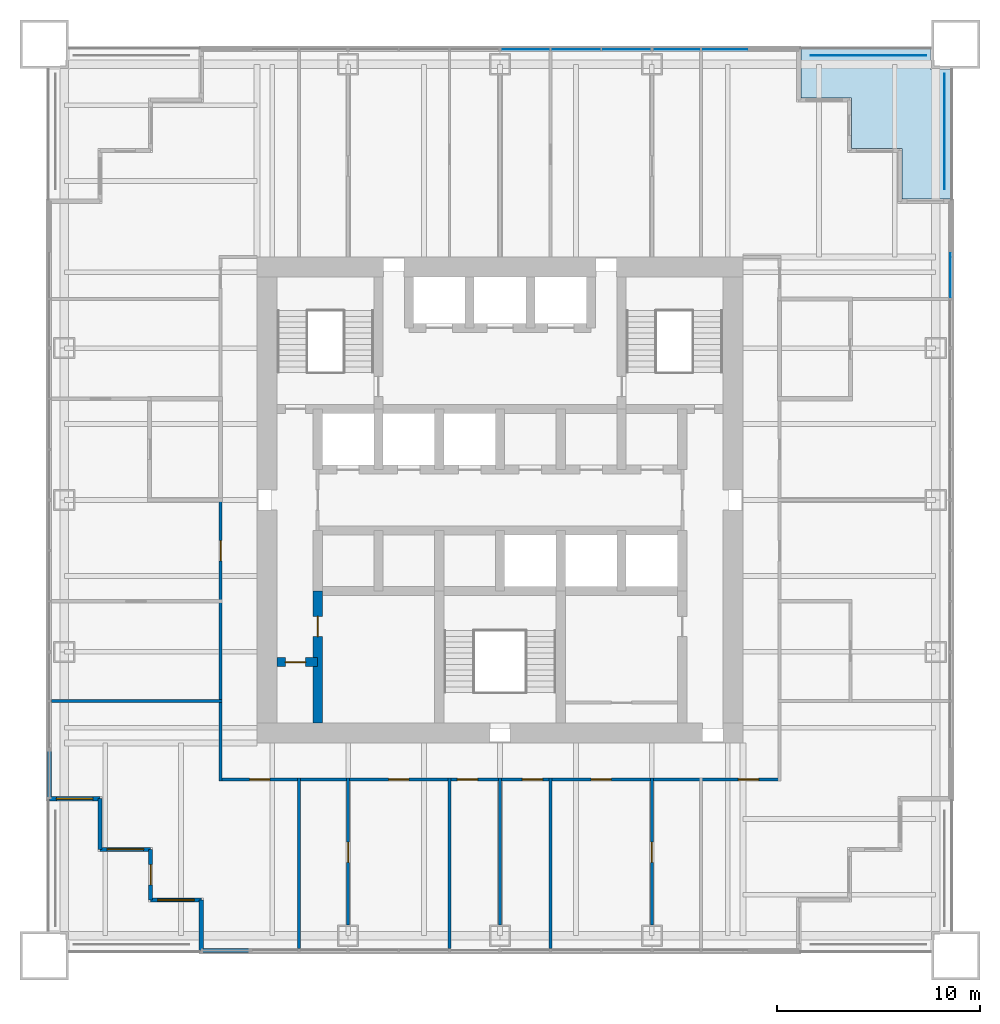
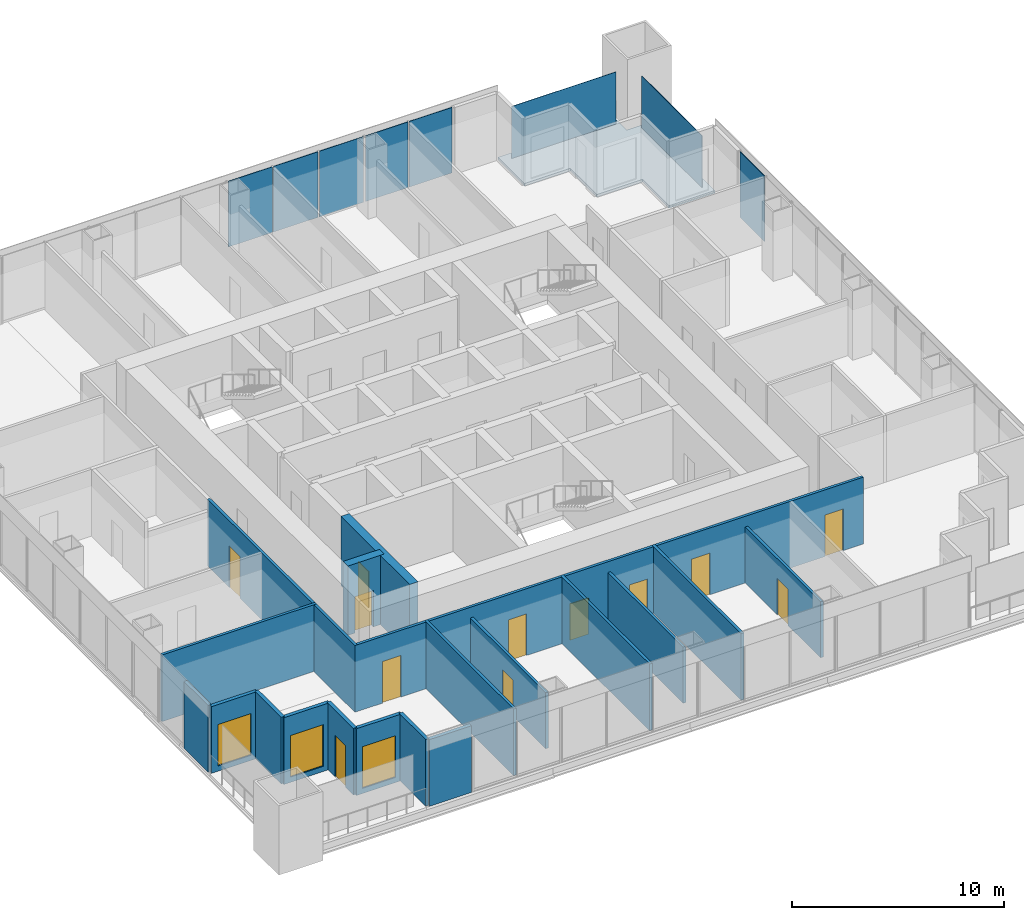
# One storey, part 8 of 13: 19 walls, 12 doors, 8 plates, 3 windows, 1 slab, 15 openings, 3 elements without a shape of their own.
"""IFC4 building model written with IfcOpenShell, lengths in metres."""

from ifc_helpers import new_model, si_unit, direction, frame, frame_2d, origin, origin_2d, place, context, subcontext, project, spatial, polyline, rectangle, outline, extrude, material, layer, layer_set, type_object, element, fill, aggregate, save


model = new_model("IFC4")

# Units and contexts
model_context = context("Model", 3, precision=1e-05, world=origin(), true_north=direction((0.0, 1.0)))
body_context = subcontext(model_context, "Body", "Model", "MODEL_VIEW")
ifc_project = project(units=[si_unit("LENGTHUNIT", "METRE"), si_unit("AREAUNIT", "SQUARE_METRE"), si_unit("VOLUMEUNIT", "CUBIC_METRE"), si_unit("PLANEANGLEUNIT", "RADIAN"), si_unit("MASSUNIT", "GRAM", prefix="KILO")], contexts=[model_context])

# Site, building, storey
site_placement = place(None, origin())
site = spatial("IfcSite", under=ifc_project, at=site_placement, CompositionType="ELEMENT")
building_placement = place(site_placement, origin())
building = spatial("IfcBuilding", under=site, at=building_placement, Name="Tarangal Relay Tower", CompositionType="ELEMENT")
storey_placement = place(building_placement, frame((0.0, 0.0, 181.89990234375)))
storey = spatial("IfcBuildingStorey", under=building, at=storey_placement, Name="L37", CompositionType="ELEMENT", Elevation=181.89990234375)

# Curtain wall, plates
ifc_material_1 = material(Name="Unitised curtain wall, dark glass and black aluminium", Category="aluminium")
curtain_wall_type = type_object("IfcCurtainWallType", Name="Curtain wall CW-A", PredefinedType="USERDEFINED", material=ifc_material_1)
curtain_wall_1_placement = place(storey_placement, origin())
curtain_wall_1 = element("IfcCurtainWall", 1, at=curtain_wall_1_placement, inside=storey, type_object=curtain_wall_type, Name="Curtain wall CW-A N facade L37", ObjectType="UNITISED CURTAIN WALL", PredefinedType="USERDEFINED")
ifc_material_2 = material(Name="Dark tinted insulated glass unit", Category="glass")
ifc_layer_1 = layer(ifc_material_2, 0.031982421875)
ifc_layer_set_1 = layer_set([ifc_layer_1], Name="Glazed panel CW-A 32")
plate_type_1 = type_object("IfcPlateType", Name="Glazed panel CW-A 32", PredefinedType="CURTAIN_PANEL", material=ifc_layer_set_1)
plate_1_placement = place(storey_placement, frame((1.266357421875, 22.25, 0.06494140625), z_axis=(0.0, 0.0, 1.0), x_axis=(1.0, 0.0, 0.0)))
plate_1 = element("IfcPlate", 2, at=plate_1_placement, type_object=plate_type_1, Name="CW-A panel 1.1", PredefinedType="CURTAIN_PANEL", context=body_context, shape_type="SweptSolid", body=[
    extrude(rectangle(XDim=2.402587890625, YDim=0.031982421875, at=origin_2d()), origin(), (0.0, 0.0, 1.0), 3.784912109375),
])
plate_2_placement = place(storey_placement, frame((3.75, 22.25, 0.06494140625), z_axis=(0.0, 0.0, 1.0), x_axis=(1.0, 0.0, 0.0)))
plate_2 = element("IfcPlate", 3, at=plate_2_placement, type_object=plate_type_1, Name="CW-A panel 2.1", PredefinedType="CURTAIN_PANEL", context=body_context, shape_type="SweptSolid", body=[
    extrude(rectangle(XDim=2.43505859375, YDim=0.031982421875, at=origin_2d()), origin(), (0.0, 0.0, 1.0), 3.784912109375),
])
plate_3_placement = place(storey_placement, frame((6.233642578125, 22.25, 0.06494140625), z_axis=(0.0, 0.0, 1.0), x_axis=(1.0, 0.0, 0.0)))
plate_3 = element("IfcPlate", 4, at=plate_3_placement, type_object=plate_type_1, Name="CW-A panel 3.1", PredefinedType="CURTAIN_PANEL", context=body_context, shape_type="SweptSolid", body=[
    extrude(rectangle(XDim=2.402587890625, YDim=0.031982421875, at=origin_2d()), origin(), (0.0, 0.0, 1.0), 3.784912109375),
])
aggregate(curtain_wall_1, [plate_1, plate_2, plate_3])

curtain_wall_2_placement = place(storey_placement, origin())
curtain_wall_2 = element("IfcCurtainWall", 5, at=curtain_wall_2_placement, inside=storey, type_object=curtain_wall_type, Name="Curtain wall CW-A N facade L37", ObjectType="UNITISED CURTAIN WALL", PredefinedType="USERDEFINED")
plate_4_placement = place(storey_placement, frame((8.724609375, 22.25, 0.06494140625), z_axis=(0.0, 0.0, 1.0), x_axis=(1.0, 0.0, 0.0)))
plate_4 = element("IfcPlate", 6, at=plate_4_placement, type_object=plate_type_1, Name="CW-A panel 1.1", PredefinedType="CURTAIN_PANEL", context=body_context, shape_type="SweptSolid", body=[
    extrude(rectangle(XDim=2.319091796875, YDim=0.031982421875, at=origin_2d()), origin(), (0.0, 0.0, 1.0), 3.784912109375),
])
plate_5_placement = place(storey_placement, frame((11.108642578125, 22.25, 0.06494140625), z_axis=(0.0, 0.0, 1.0), x_axis=(1.0, 0.0, 0.0)))
plate_5 = element("IfcPlate", 7, at=plate_5_placement, type_object=plate_type_1, Name="CW-A panel 2.1", PredefinedType="CURTAIN_PANEL", context=body_context, shape_type="SweptSolid", body=[
    extrude(rectangle(XDim=2.319091796875, YDim=0.031982421875, at=origin_2d()), origin(), (0.0, 0.0, 1.0), 3.784912109375),
])
aggregate(curtain_wall_2, [plate_4, plate_5])

# Curtain wall, plate
curtain_wall_3_placement = place(storey_placement, origin())
curtain_wall_3 = element("IfcCurtainWall", 8, at=curtain_wall_3_placement, inside=storey, type_object=curtain_wall_type, Name="Curtain wall CW-A E facade L37", ObjectType="UNITISED CURTAIN WALL", PredefinedType="USERDEFINED")
plate_6_placement = place(storey_placement, frame((22.25, 11.108642578125, 0.06494140625), z_axis=(0.0, 0.0, 1.0), x_axis=(0.0, -1.0, 0.0)))
plate_6 = element("IfcPlate", 9, at=plate_6_placement, type_object=plate_type_1, Name="CW-A panel 1.1", PredefinedType="CURTAIN_PANEL", context=body_context, shape_type="SweptSolid", body=[
    extrude(rectangle(XDim=2.319091796875, YDim=0.031982421875, at=origin_2d()), origin(), (0.0, 0.0, 1.0), 3.784912109375),
])
aggregate(curtain_wall_3, [plate_6])

# Plates
ifc_material_3 = material(Name="Black stainless steel cable trellis with climbing planting", Category="steel")
ifc_layer_2 = layer(ifc_material_3, 0.030029296875)
ifc_layer_set_2 = layer_set([ifc_layer_2], Name="Planted trellis screen")
plate_type_2 = type_object("IfcPlateType", Name="Planted trellis screen", PredefinedType="SHEET", material=ifc_layer_set_2)
plate_7_placement = place(storey_placement, frame((21.949951171875, 18.199951171875, 0.0), z_axis=(0.0, 0.0, 1.0), x_axis=(0.0, -1.0, 0.0)))
element("IfcPlate", 10, at=plate_7_placement, inside=storey, type_object=plate_type_2, Name="Planted trellis SC2 NE L37", PredefinedType="SHEET", context=body_context, shape_type="SweptSolid", body=[
    extrude(rectangle(XDim=5.699951171875, YDim=0.030029296875, at=origin_2d()), origin(), (0.0, 0.0, 1.0), 3.0),
])
ifc_material_4 = material(Name="Perforated black aluminium screen", Category="aluminium")
ifc_layer_3 = layer(ifc_material_4, 0.02001953125)
ifc_layer_set_3 = layer_set([ifc_layer_3], Name="Terrace screen panel")
plate_type_3 = type_object("IfcPlateType", Name="Terrace screen panel", PredefinedType="SHEET", material=ifc_layer_set_3)
plate_8_placement = place(storey_placement, frame((18.199951171875, 21.949951171875, 0.0), z_axis=(0.0, 0.0, 1.0), x_axis=(1.0, 0.0, 0.0)))
element("IfcPlate", 11, at=plate_8_placement, inside=storey, type_object=plate_type_3, Name="Terrace screen SC1 NE L37", PredefinedType="SHEET", context=body_context, shape_type="SweptSolid", body=[
    extrude(rectangle(XDim=5.699951171875, YDim=0.02001953125, at=origin_2d()), origin(), (0.0, 0.0, 1.0), 3.0),
])

# Slab
ifc_material_5 = material(Name="Concrete fc' 35 MPa", Category="concrete")
ifc_layer_4 = layer(ifc_material_5, 0.14990234375)
ifc_layer_set_4 = layer_set([ifc_layer_4], Name="Terrace slab 150")
slab_type = type_object("IfcSlabType", Name="Terrace slab 150", PredefinedType="FLOOR", material=ifc_layer_set_4)
slab_placement = place(storey_placement, frame((0.0, 0.0, -0.14990234375)))
element("IfcSlab", 12, at=slab_placement, inside=storey, type_object=slab_type, Name="Corner terrace NE L37", PredefinedType="FLOOR", context=body_context, shape_type="SweptSolid", body=[
    extrude(outline(polyline([(14.85009765625, 22.35009765625), (14.85009765625, 19.85009765625), (17.35009765625, 19.85009765625), (17.35009765625, 17.35009765625), (19.85009765625, 17.35009765625), (19.85009765625, 14.85009765625), (22.35009765625, 14.85009765625), (22.35009765625, 21.25), (21.25, 21.25), (21.25, 22.35009765625), (14.85009765625, 22.35009765625)])), origin(), (0.0, 0.0, 1.0), 0.14990234375),
])

# Wall, opening, door
ifc_material_6 = material(Name="Concrete fc' 60 MPa", Category="concrete")
ifc_layer_5 = layer(ifc_material_6, 0.449951171875)
ifc_layer_set_5 = layer_set([ifc_layer_5], Name="Core inner wall 450")
wall_type_1 = type_object("IfcWallType", Name="Core inner wall 450", PredefinedType="SHEAR", material=ifc_layer_set_5)
wall_1_placement = place(storey_placement, frame((-11.0, -8.0, 0.0), z_axis=(0.0, 0.0, 1.0), x_axis=(1.0, 0.0, 0.0)))
wall_1 = element("IfcWall", 13, at=wall_1_placement, inside=storey, type_object=wall_type_1, Name="Core wall YM8 L37", PredefinedType="SHEAR", context=body_context, shape_type="SweptSolid", body=[
    extrude(rectangle(XDim=2.0, YDim=0.449951171875, at=frame_2d((1.0, 0.0))), origin(), (0.0, 0.0, 1.0), 4.0),
])
opening_1_placement = place(wall_1_placement, frame((0.39990234375, 0.0, 0.0)))
opening_1 = element("IfcOpeningElement", 14, at=opening_1_placement, cuts=wall_1, Name="Opening D1", PredefinedType="OPENING", context=body_context, shape_type="SweptSolid", body=[
    extrude(rectangle(XDim=1.0, YDim=2.10009765625, at=frame_2d((0.5, 1.050048828125))), frame((0.0, 0.23486328125, 0.0), z_axis=(0.0, -1.0, 0.0), x_axis=(1.0, 0.0, 0.0)), (0.0, 0.0, 1.0), 0.469970703125),
])
ifc_material_7 = material(Name="Hardwood door", Category="wood")
door_type_1 = type_object("IfcDoorType", Name="WC door 1000 x 2100", OperationType="SINGLE_SWING_LEFT", PredefinedType="DOOR", material=ifc_material_7)
door_1_placement = place(opening_1_placement, origin())
door_1 = element("IfcDoor", 15, at=door_1_placement, inside=storey, type_object=door_type_1, Name="Accessible WC door L37", OperationType="SINGLE_SWING_LEFT", OverallHeight=2.10009765625, OverallWidth=1.0, PredefinedType="DOOR", context=body_context, shape_type="SweptSolid", body=[
    extrude(rectangle(XDim=1.0, YDim=2.10009765625, at=frame_2d((0.5, 1.050048828125))), frame((0.0, 0.02490234375, 0.0), z_axis=(0.0, -1.0, 0.0), x_axis=(1.0, 0.0, 0.0)), (0.0, 0.0, 1.0), 0.050048828125),
])
fill(opening_1, door_1)

wall_2_placement = place(storey_placement, frame((-9.0, -11.0, 0.0), z_axis=(0.0, 0.0, 1.0), x_axis=(0.0, 1.0, 0.0)))
wall_2 = element("IfcWall", 16, at=wall_2_placement, inside=storey, type_object=wall_type_1, Name="Core wall XM9W L37", PredefinedType="SHEAR", context=body_context, shape_type="SweptSolid", body=[
    extrude(rectangle(XDim=6.5, YDim=0.449951171875, at=frame_2d((3.25, 0.0))), origin(), (0.0, 0.0, 1.0), 4.0),
])
opening_2_placement = place(wall_2_placement, frame((4.25, 0.0, 0.0)))
opening_2 = element("IfcOpeningElement", 17, at=opening_2_placement, cuts=wall_2, Name="Opening D1", PredefinedType="OPENING", context=body_context, shape_type="SweptSolid", body=[
    extrude(rectangle(XDim=1.0, YDim=2.10009765625, at=frame_2d((0.5, 1.050048828125))), frame((0.0, 0.23486328125, 0.0), z_axis=(0.0, -1.0, 0.0), x_axis=(1.0, 0.0, 0.0)), (0.0, 0.0, 1.0), 0.469970703125),
])
door_2_placement = place(opening_2_placement, origin())
door_2 = element("IfcDoor", 18, at=door_2_placement, inside=storey, type_object=door_type_1, Name="Male WC door L37", OperationType="SINGLE_SWING_LEFT", OverallHeight=2.10009765625, OverallWidth=1.0, PredefinedType="DOOR", context=body_context, shape_type="SweptSolid", body=[
    extrude(rectangle(XDim=1.0, YDim=2.10009765625, at=frame_2d((0.5, 1.050048828125))), frame((0.0, 0.02490234375, 0.0), z_axis=(0.0, -1.0, 0.0), x_axis=(1.0, 0.0, 0.0)), (0.0, 0.0, 1.0), 0.050048828125),
])
fill(opening_2, door_2)

# Wall
ifc_material_8 = material(Name="Black metal clad insulated wall", Category="steel")
ifc_layer_6 = layer(ifc_material_8, 0.199951171875)
ifc_layer_set_6 = layer_set([ifc_layer_6], Name="Corner wall metal clad 200")
wall_type_2 = type_object("IfcWallType", Name="Corner wall metal clad 200", PredefinedType="SOLIDWALL", material=ifc_layer_set_6)
wall_3_placement = place(storey_placement, frame((-14.75, -22.25, 0.0), z_axis=(0.0, 0.0, 1.0), x_axis=(0.0, 1.0, 0.0)))
element("IfcWall", 19, at=wall_3_placement, inside=storey, type_object=wall_type_2, Name="Facade wall S facade L37", PredefinedType="SOLIDWALL", context=body_context, shape_type="SweptSolid", body=[
    extrude(rectangle(XDim=2.5, YDim=0.199951171875, at=frame_2d((1.25, 0.0))), origin(), (0.0, 0.0, 1.0), 3.85009765625),
])

# Wall, opening, window
wall_4_placement = place(storey_placement, frame((-14.75, -19.75, 0.0), z_axis=(0.0, 0.0, 1.0), x_axis=(-1.0, 0.0, 0.0)))
wall_4 = element("IfcWall", 20, at=wall_4_placement, inside=storey, type_object=wall_type_2, Name="Facade wall S facade L37", PredefinedType="SOLIDWALL", context=body_context, shape_type="SweptSolid", body=[
    extrude(rectangle(XDim=2.5, YDim=0.199951171875, at=frame_2d((1.25, 0.0))), origin(), (0.0, 0.0, 1.0), 3.85009765625),
])
opening_3_placement = place(wall_4_placement, frame((0.35009765625, 0.0, 0.300048828125)))
opening_3 = element("IfcOpeningElement", 21, at=opening_3_placement, cuts=wall_4, Name="Opening WN2", PredefinedType="OPENING", context=body_context, shape_type="SweptSolid", body=[
    extrude(rectangle(XDim=1.800048828125, YDim=2.39990234375, at=frame_2d((0.89990234375, 1.199951171875))), frame((0.0, 0.10986328125, 0.0), z_axis=(0.0, -1.0, 0.0), x_axis=(1.0, 0.0, 0.0)), (0.0, 0.0, 1.0), 0.219970703125),
])
ifc_material_9 = material(Name="Dark tinted double glazing in black aluminium frame", Category="aluminium")
window_type = type_object("IfcWindowType", Name="Corner window 1800 x 2400", PartitioningType="SINGLE_PANEL", PredefinedType="WINDOW", material=ifc_material_9)
window_1_placement = place(opening_3_placement, origin())
window_1 = element("IfcWindow", 22, at=window_1_placement, inside=storey, type_object=window_type, Name="Corner window WN2 S facade L37", OverallHeight=2.39990234375, OverallWidth=1.800048828125, PartitioningType="SINGLE_PANEL", PredefinedType="WINDOW", context=body_context, shape_type="SweptSolid", body=[
    extrude(rectangle(XDim=1.800048828125, YDim=2.39990234375, at=frame_2d((0.89990234375, 1.199951171875))), frame((0.0, 0.030029296875, 0.0), z_axis=(0.0, -1.0, 0.0), x_axis=(1.0, 0.0, 0.0)), (0.0, 0.0, 1.0), 0.06005859375),
])
fill(opening_3, window_1)

# Wall, opening, door
wall_5_placement = place(storey_placement, frame((-17.25, -19.75, 0.0), z_axis=(0.0, 0.0, 1.0), x_axis=(0.0, 1.0, 0.0)))
wall_5 = element("IfcWall", 23, at=wall_5_placement, inside=storey, type_object=wall_type_2, Name="Facade wall S facade L37", PredefinedType="SOLIDWALL", context=body_context, shape_type="SweptSolid", body=[
    extrude(rectangle(XDim=2.5, YDim=0.199951171875, at=frame_2d((1.25, 0.0))), origin(), (0.0, 0.0, 1.0), 3.85009765625),
])
opening_4_placement = place(wall_5_placement, frame((0.75, 0.0, 0.0)))
opening_4 = element("IfcOpeningElement", 24, at=opening_4_placement, cuts=wall_5, Name="Opening TD1", PredefinedType="OPENING", context=body_context, shape_type="SweptSolid", body=[
    extrude(rectangle(XDim=1.0, YDim=2.39990234375, at=frame_2d((0.5, 1.199951171875))), frame((0.0, 0.10986328125, 0.0), z_axis=(0.0, -1.0, 0.0), x_axis=(1.0, 0.0, 0.0)), (0.0, 0.0, 1.0), 0.219970703125),
])
ifc_material_10 = material(Name="Aluminium glazed door", Category="aluminium")
door_type_2 = type_object("IfcDoorType", Name="Terrace door 1000 x 2400", OperationType="SINGLE_SWING_RIGHT", PredefinedType="DOOR", material=ifc_material_10)
door_3_placement = place(opening_4_placement, origin())
door_3 = element("IfcDoor", 25, at=door_3_placement, inside=storey, type_object=door_type_2, Name="Terrace door TD1 SW L37", OperationType="SINGLE_SWING_RIGHT", OverallHeight=2.39990234375, OverallWidth=1.0, PredefinedType="DOOR", context=body_context, shape_type="SweptSolid", body=[
    extrude(rectangle(XDim=1.0, YDim=2.39990234375, at=frame_2d((0.5, 1.199951171875))), frame((0.0, 0.02490234375, 0.0), z_axis=(0.0, -1.0, 0.0), x_axis=(1.0, 0.0, 0.0)), (0.0, 0.0, 1.0), 0.050048828125),
])
fill(opening_4, door_3)

# Wall, opening, window
wall_6_placement = place(storey_placement, frame((-17.25, -17.25, 0.0), z_axis=(0.0, 0.0, 1.0), x_axis=(-1.0, 0.0, 0.0)))
wall_6 = element("IfcWall", 26, at=wall_6_placement, inside=storey, type_object=wall_type_2, Name="Facade wall S facade L37", PredefinedType="SOLIDWALL", context=body_context, shape_type="SweptSolid", body=[
    extrude(rectangle(XDim=2.5, YDim=0.199951171875, at=frame_2d((1.25, 0.0))), origin(), (0.0, 0.0, 1.0), 3.85009765625),
])
opening_5_placement = place(wall_6_placement, frame((0.35009765625, 0.0, 0.300048828125)))
opening_5 = element("IfcOpeningElement", 27, at=opening_5_placement, cuts=wall_6, Name="Opening WN2", PredefinedType="OPENING", context=body_context, shape_type="SweptSolid", body=[
    extrude(rectangle(XDim=1.800048828125, YDim=2.39990234375, at=frame_2d((0.89990234375, 1.199951171875))), frame((0.0, 0.10986328125, 0.0), z_axis=(0.0, -1.0, 0.0), x_axis=(1.0, 0.0, 0.0)), (0.0, 0.0, 1.0), 0.219970703125),
])
window_2_placement = place(opening_5_placement, origin())
window_2 = element("IfcWindow", 28, at=window_2_placement, inside=storey, type_object=window_type, Name="Corner window WN2 S facade L37", OverallHeight=2.39990234375, OverallWidth=1.800048828125, PartitioningType="SINGLE_PANEL", PredefinedType="WINDOW", context=body_context, shape_type="SweptSolid", body=[
    extrude(rectangle(XDim=1.800048828125, YDim=2.39990234375, at=frame_2d((0.89990234375, 1.199951171875))), frame((0.0, 0.030029296875, 0.0), z_axis=(0.0, -1.0, 0.0), x_axis=(1.0, 0.0, 0.0)), (0.0, 0.0, 1.0), 0.06005859375),
])
fill(opening_5, window_2)

# Wall
wall_7_placement = place(storey_placement, frame((-19.75, -17.25, 0.0), z_axis=(0.0, 0.0, 1.0), x_axis=(0.0, 1.0, 0.0)))
element("IfcWall", 29, at=wall_7_placement, inside=storey, type_object=wall_type_2, Name="Facade wall S facade L37", PredefinedType="SOLIDWALL", context=body_context, shape_type="SweptSolid", body=[
    extrude(rectangle(XDim=2.5, YDim=0.199951171875, at=frame_2d((1.25, 0.0))), origin(), (0.0, 0.0, 1.0), 3.85009765625),
])

# Wall, opening, window
wall_8_placement = place(storey_placement, frame((-19.75, -14.75, 0.0), z_axis=(0.0, 0.0, 1.0), x_axis=(-1.0, 0.0, 0.0)))
wall_8 = element("IfcWall", 30, at=wall_8_placement, inside=storey, type_object=wall_type_2, Name="Facade wall S facade L37", PredefinedType="SOLIDWALL", context=body_context, shape_type="SweptSolid", body=[
    extrude(rectangle(XDim=2.5, YDim=0.199951171875, at=frame_2d((1.25, 0.0))), origin(), (0.0, 0.0, 1.0), 3.85009765625),
])
opening_6_placement = place(wall_8_placement, frame((0.35009765625, 0.0, 0.300048828125)))
opening_6 = element("IfcOpeningElement", 31, at=opening_6_placement, cuts=wall_8, Name="Opening WN2", PredefinedType="OPENING", context=body_context, shape_type="SweptSolid", body=[
    extrude(rectangle(XDim=1.800048828125, YDim=2.39990234375, at=frame_2d((0.89990234375, 1.199951171875))), frame((0.0, 0.10986328125, 0.0), z_axis=(0.0, -1.0, 0.0), x_axis=(1.0, 0.0, 0.0)), (0.0, 0.0, 1.0), 0.219970703125),
])
window_3_placement = place(opening_6_placement, origin())
window_3 = element("IfcWindow", 32, at=window_3_placement, inside=storey, type_object=window_type, Name="Corner window WN2 S facade L37", OverallHeight=2.39990234375, OverallWidth=1.800048828125, PartitioningType="SINGLE_PANEL", PredefinedType="WINDOW", context=body_context, shape_type="SweptSolid", body=[
    extrude(rectangle(XDim=1.800048828125, YDim=2.39990234375, at=frame_2d((0.89990234375, 1.199951171875))), frame((0.0, 0.030029296875, 0.0), z_axis=(0.0, -1.0, 0.0), x_axis=(1.0, 0.0, 0.0)), (0.0, 0.0, 1.0), 0.06005859375),
])
fill(opening_6, window_3)

# Walls
ifc_layer_7 = layer(ifc_material_8, 0.199951171875)
ifc_layer_set_7 = layer_set([ifc_layer_7], Name="Facade infill wall metal clad 200")
wall_type_3 = type_object("IfcWallType", Name="Facade infill wall metal clad 200", PredefinedType="SOLIDWALL", material=ifc_layer_set_7)
for number, where, z_axis, x_axis, name in (
    (33, (-12.398193359375, -22.25, 0.0), (0.0, 0.0, 1.0), (-1.0, 0.0, 0.0), "Facade infill wall S facade L37 1.1"),
    (34, (-22.25, -14.68505859375, 0.0), (0.0, 0.0, 1.0), (0.0, 1.0, 0.0), "Facade infill wall W facade L37 1.1"),
):
    element("IfcWall", number, at=place(storey_placement, frame(where, z_axis=z_axis, x_axis=x_axis)), inside=storey, type_object=wall_type_3, Name=name, PredefinedType="SOLIDWALL", context=body_context, shape_type="SweptSolid", body=[
        extrude(rectangle(XDim=2.286865234375, YDim=0.199951171875, at=frame_2d((1.1435546875, 0.0))), origin(), (0.0, 0.0, 1.0), 3.85009765625),
    ])

# Wall, openings, doors
ifc_material_11 = material(Name="Gypsum board on steel studs", Category="steel")
ifc_layer_8 = layer(ifc_material_11, 0.14990234375)
ifc_layer_set_8 = layer_set([ifc_layer_8], Name="Partition 150")
wall_type_4 = type_object("IfcWallType", Name="Partition 150", PredefinedType="PARTITIONING", material=ifc_layer_set_8)
wall_9_placement = place(storey_placement, frame((-13.875, -13.800048828125, 0.0), z_axis=(0.0, 0.0, 1.0), x_axis=(1.0, 0.0, 0.0)))
wall_9 = element("IfcWall", 35, at=wall_9_placement, inside=storey, type_object=wall_type_4, Name="Partition PT1 L37", PredefinedType="PARTITIONING", context=body_context, shape_type="SweptSolid", body=[
    extrude(rectangle(XDim=27.75, YDim=0.14990234375, at=frame_2d((13.875, 0.0))), origin(), (0.0, 0.0, 1.0), 3.85009765625),
])
opening_7_placement = place(wall_9_placement, frame((18.375, 0.0, 0.0)))
opening_7 = element("IfcOpeningElement", 36, at=opening_7_placement, cuts=wall_9, Name="Opening SD1", PredefinedType="OPENING", context=body_context, shape_type="SweptSolid", body=[
    extrude(rectangle(XDim=1.0, YDim=2.39990234375, at=frame_2d((0.5, 1.199951171875))), frame((0.0, 0.0849609375, 0.0), z_axis=(0.0, -1.0, 0.0), x_axis=(1.0, 0.0, 0.0)), (0.0, 0.0, 1.0), 0.169921875),
])
opening_8_placement = place(wall_9_placement, frame((14.97509765625, 0.0, 0.0)))
opening_8 = element("IfcOpeningElement", 37, at=opening_8_placement, cuts=wall_9, Name="Opening D2", PredefinedType="OPENING", context=body_context, shape_type="SweptSolid", body=[
    extrude(rectangle(XDim=1.0, YDim=2.10009765625, at=frame_2d((0.5, 1.050048828125))), frame((0.0, 0.0849609375, 0.0), z_axis=(0.0, -1.0, 0.0), x_axis=(1.0, 0.0, 0.0)), (0.0, 0.0, 1.0), 0.169921875),
])
opening_9_placement = place(wall_9_placement, frame((11.77490234375, 0.0, 0.0)))
opening_9 = element("IfcOpeningElement", 38, at=opening_9_placement, cuts=wall_9, Name="Opening D2", PredefinedType="OPENING", context=body_context, shape_type="SweptSolid", body=[
    extrude(rectangle(XDim=1.0, YDim=2.10009765625, at=frame_2d((0.5, 1.050048828125))), frame((0.0, 0.0849609375, 0.0), z_axis=(0.0, -1.0, 0.0), x_axis=(1.0, 0.0, 0.0)), (0.0, 0.0, 1.0), 0.169921875),
])
opening_10_placement = place(wall_9_placement, frame((8.375, 0.0, 0.0)))
opening_10 = element("IfcOpeningElement", 39, at=opening_10_placement, cuts=wall_9, Name="Opening SD1", PredefinedType="OPENING", context=body_context, shape_type="SweptSolid", body=[
    extrude(rectangle(XDim=1.0, YDim=2.39990234375, at=frame_2d((0.5, 1.199951171875))), frame((0.0, 0.0849609375, 0.0), z_axis=(0.0, -1.0, 0.0), x_axis=(1.0, 0.0, 0.0)), (0.0, 0.0, 1.0), 0.169921875),
])
opening_11_placement = place(wall_9_placement, frame((25.650146484375, 0.0, 0.0)))
opening_11 = element("IfcOpeningElement", 40, at=opening_11_placement, cuts=wall_9, Name="Opening SD1", PredefinedType="OPENING", context=body_context, shape_type="SweptSolid", body=[
    extrude(rectangle(XDim=1.0, YDim=2.39990234375, at=frame_2d((0.5, 1.199951171875))), frame((0.0, 0.0849609375, 0.0), z_axis=(0.0, -1.0, 0.0), x_axis=(1.0, 0.0, 0.0)), (0.0, 0.0, 1.0), 0.169921875),
])
opening_12_placement = place(wall_9_placement, frame((1.5166015625, 0.0, 0.0)))
opening_12 = element("IfcOpeningElement", 41, at=opening_12_placement, cuts=wall_9, Name="Opening SD1", PredefinedType="OPENING", context=body_context, shape_type="SweptSolid", body=[
    extrude(rectangle(XDim=1.0, YDim=2.39990234375, at=frame_2d((0.5, 1.199951171875))), frame((0.0, 0.0849609375, 0.0), z_axis=(0.0, -1.0, 0.0), x_axis=(1.0, 0.0, 0.0)), (0.0, 0.0, 1.0), 0.169921875),
])
door_type_3 = type_object("IfcDoorType", Name="Door 1000 x 2100", OperationType="SINGLE_SWING_LEFT", PredefinedType="DOOR", material=ifc_material_7)
door_4_placement = place(opening_8_placement, origin())
door_4 = element("IfcDoor", 42, at=door_4_placement, inside=storey, type_object=door_type_3, Name="Door D2 to tea pantry L37-14", OperationType="SINGLE_SWING_LEFT", OverallHeight=2.10009765625, OverallWidth=1.0, PredefinedType="DOOR", context=body_context, shape_type="SweptSolid", body=[
    extrude(rectangle(XDim=1.0, YDim=2.10009765625, at=frame_2d((0.5, 1.050048828125))), frame((0.0, 0.02490234375, 0.0), z_axis=(0.0, -1.0, 0.0), x_axis=(1.0, 0.0, 0.0)), (0.0, 0.0, 1.0), 0.050048828125),
])
fill(opening_8, door_4)
door_5_placement = place(opening_9_placement, origin())
door_5 = element("IfcDoor", 43, at=door_5_placement, inside=storey, type_object=door_type_3, Name="Door D2 to print room L37-15", OperationType="SINGLE_SWING_LEFT", OverallHeight=2.10009765625, OverallWidth=1.0, PredefinedType="DOOR", context=body_context, shape_type="SweptSolid", body=[
    extrude(rectangle(XDim=1.0, YDim=2.10009765625, at=frame_2d((0.5, 1.050048828125))), frame((0.0, 0.02490234375, 0.0), z_axis=(0.0, -1.0, 0.0), x_axis=(1.0, 0.0, 0.0)), (0.0, 0.0, 1.0), 0.050048828125),
])
fill(opening_9, door_5)
ifc_material_12 = material(Name="Steel door with hardwood frame", Category="steel")
door_type_4 = type_object("IfcDoorType", Name="Suite entrance door 1000 x 2400", OperationType="SINGLE_SWING_RIGHT", PredefinedType="DOOR", material=ifc_material_12)
door_6_placement = place(opening_7_placement, origin())
door_6 = element("IfcDoor", 44, at=door_6_placement, inside=storey, type_object=door_type_4, Name="Door SD1 to open plan office L37-13", OperationType="SINGLE_SWING_RIGHT", OverallHeight=2.39990234375, OverallWidth=1.0, PredefinedType="DOOR", context=body_context, shape_type="SweptSolid", body=[
    extrude(rectangle(XDim=1.0, YDim=2.39990234375, at=frame_2d((0.5, 1.199951171875))), frame((0.0, 0.02490234375, 0.0), z_axis=(0.0, -1.0, 0.0), x_axis=(1.0, 0.0, 0.0)), (0.0, 0.0, 1.0), 0.050048828125),
])
fill(opening_7, door_6)
door_7_placement = place(opening_10_placement, origin())
door_7 = element("IfcDoor", 45, at=door_7_placement, inside=storey, type_object=door_type_4, Name="Door SD1 to open plan office L37-16", OperationType="SINGLE_SWING_RIGHT", OverallHeight=2.39990234375, OverallWidth=1.0, PredefinedType="DOOR", context=body_context, shape_type="SweptSolid", body=[
    extrude(rectangle(XDim=1.0, YDim=2.39990234375, at=frame_2d((0.5, 1.199951171875))), frame((0.0, 0.02490234375, 0.0), z_axis=(0.0, -1.0, 0.0), x_axis=(1.0, 0.0, 0.0)), (0.0, 0.0, 1.0), 0.050048828125),
])
fill(opening_10, door_7)
door_8_placement = place(opening_11_placement, origin())
door_8 = element("IfcDoor", 46, at=door_8_placement, inside=storey, type_object=door_type_4, Name="Door SD1 to open plan office L37-23", OperationType="SINGLE_SWING_RIGHT", OverallHeight=2.39990234375, OverallWidth=1.0, PredefinedType="DOOR", context=body_context, shape_type="SweptSolid", body=[
    extrude(rectangle(XDim=1.0, YDim=2.39990234375, at=frame_2d((0.5, 1.199951171875))), frame((0.0, 0.02490234375, 0.0), z_axis=(0.0, -1.0, 0.0), x_axis=(1.0, 0.0, 0.0)), (0.0, 0.0, 1.0), 0.050048828125),
])
fill(opening_11, door_8)
door_9_placement = place(opening_12_placement, origin())
door_9 = element("IfcDoor", 47, at=door_9_placement, inside=storey, type_object=door_type_4, Name="Door SD1 to open plan office L37-24", OperationType="SINGLE_SWING_RIGHT", OverallHeight=2.39990234375, OverallWidth=1.0, PredefinedType="DOOR", context=body_context, shape_type="SweptSolid", body=[
    extrude(rectangle(XDim=1.0, YDim=2.39990234375, at=frame_2d((0.5, 1.199951171875))), frame((0.0, 0.02490234375, 0.0), z_axis=(0.0, -1.0, 0.0), x_axis=(1.0, 0.0, 0.0)), (0.0, 0.0, 1.0), 0.050048828125),
])
fill(opening_12, door_9)

# Wall
wall_10_placement = place(storey_placement, frame((-22.14990234375, -9.9169921875, 0.0), z_axis=(0.0, 0.0, 1.0), x_axis=(1.0, 0.0, 0.0)))
element("IfcWall", 48, at=wall_10_placement, inside=storey, type_object=wall_type_4, Name="Partition PT1 L37", PredefinedType="PARTITIONING", context=body_context, shape_type="SweptSolid", body=[
    extrude(rectangle(XDim=8.4248046875, YDim=0.14990234375, at=frame_2d((4.21240234375, 0.0))), origin(), (0.0, 0.0, 1.0), 3.85009765625),
])

# Wall, opening, door
wall_11_placement = place(storey_placement, frame((-13.800048828125, -13.875, 0.0), z_axis=(0.0, 0.0, 1.0), x_axis=(0.0, 1.0, 0.0)))
wall_11 = element("IfcWall", 49, at=wall_11_placement, inside=storey, type_object=wall_type_4, Name="Partition PT1 L37", PredefinedType="PARTITIONING", context=body_context, shape_type="SweptSolid", body=[
    extrude(rectangle(XDim=13.949951171875, YDim=0.14990234375, at=frame_2d((6.97509765625, 0.0))), origin(), (0.0, 0.0, 1.0), 3.85009765625),
])
opening_13_placement = place(wall_11_placement, frame((10.875, 0.0, 0.0)))
opening_13 = element("IfcOpeningElement", 50, at=opening_13_placement, cuts=wall_11, Name="Opening SD1", PredefinedType="OPENING", context=body_context, shape_type="SweptSolid", body=[
    extrude(rectangle(XDim=1.0, YDim=2.39990234375, at=frame_2d((0.5, 1.199951171875))), frame((0.0, 0.0849609375, 0.0), z_axis=(0.0, -1.0, 0.0), x_axis=(1.0, 0.0, 0.0)), (0.0, 0.0, 1.0), 0.169921875),
])
door_10_placement = place(opening_13_placement, origin())
door_10 = element("IfcDoor", 51, at=door_10_placement, inside=storey, type_object=door_type_4, Name="Door SD1 to open plan office L37-19", OperationType="SINGLE_SWING_RIGHT", OverallHeight=2.39990234375, OverallWidth=1.0, PredefinedType="DOOR", context=body_context, shape_type="SweptSolid", body=[
    extrude(rectangle(XDim=1.0, YDim=2.39990234375, at=frame_2d((0.5, 1.199951171875))), frame((0.0, 0.02490234375, 0.0), z_axis=(0.0, -1.0, 0.0), x_axis=(1.0, 0.0, 0.0)), (0.0, 0.0, 1.0), 0.050048828125),
])
fill(opening_13, door_10)

# Wall
wall_12_placement = place(storey_placement, frame((-9.9169921875, -22.14990234375, 0.0), z_axis=(0.0, 0.0, 1.0), x_axis=(0.0, 1.0, 0.0)))
element("IfcWall", 52, at=wall_12_placement, inside=storey, type_object=wall_type_4, Name="Partition PT1 L37", PredefinedType="PARTITIONING", context=body_context, shape_type="SweptSolid", body=[
    extrude(rectangle(XDim=8.4248046875, YDim=0.14990234375, at=frame_2d((4.21240234375, 0.0))), origin(), (0.0, 0.0, 1.0), 3.85009765625),
])

# Wall, opening, door
wall_13_placement = place(storey_placement, frame((-7.5, -20.989990234375, 0.0), z_axis=(0.0, 0.0, 1.0), x_axis=(0.0, 1.0, 0.0)))
wall_13 = element("IfcWall", 53, at=wall_13_placement, inside=storey, type_object=wall_type_4, Name="Partition PT1 L37", PredefinedType="PARTITIONING", context=body_context, shape_type="SweptSolid", body=[
    extrude(rectangle(XDim=7.264892578125, YDim=0.14990234375, at=frame_2d((3.63232421875, 0.0))), origin(), (0.0, 0.0, 1.0), 3.238037109375),
])
opening_14_placement = place(wall_13_placement, frame((3.094970703125, 0.0, 0.0)))
opening_14 = element("IfcOpeningElement", 54, at=opening_14_placement, cuts=wall_13, Name="Opening D2", PredefinedType="OPENING", context=body_context, shape_type="SweptSolid", body=[
    extrude(rectangle(XDim=1.0, YDim=2.10009765625, at=frame_2d((0.5, 1.050048828125))), frame((0.0, 0.0849609375, 0.0), z_axis=(0.0, -1.0, 0.0), x_axis=(1.0, 0.0, 0.0)), (0.0, 0.0, 1.0), 0.169921875),
])
door_11_placement = place(opening_14_placement, origin())
door_11 = element("IfcDoor", 55, at=door_11_placement, inside=storey, type_object=door_type_3, Name="Door D2 to cellular office L37-17", OperationType="SINGLE_SWING_LEFT", OverallHeight=2.10009765625, OverallWidth=1.0, PredefinedType="DOOR", context=body_context, shape_type="SweptSolid", body=[
    extrude(rectangle(XDim=1.0, YDim=2.10009765625, at=frame_2d((0.5, 1.050048828125))), frame((0.0, 0.02490234375, 0.0), z_axis=(0.0, -1.0, 0.0), x_axis=(1.0, 0.0, 0.0)), (0.0, 0.0, 1.0), 0.050048828125),
])
fill(opening_14, door_11)

# Walls
wall_14_placement = place(storey_placement, frame((-2.5, -22.14990234375, 0.0), z_axis=(0.0, 0.0, 1.0), x_axis=(0.0, 1.0, 0.0)))
element("IfcWall", 56, at=wall_14_placement, inside=storey, type_object=wall_type_4, Name="Partition PT1 L37", PredefinedType="PARTITIONING", context=body_context, shape_type="SweptSolid", body=[
    extrude(rectangle(XDim=8.4248046875, YDim=0.14990234375, at=frame_2d((4.21240234375, 0.0))), origin(), (0.0, 0.0, 1.0), 3.85009765625),
])
wall_15_placement = place(storey_placement, frame((0.0, -20.989990234375, 0.0), z_axis=(0.0, 0.0, 1.0), x_axis=(0.0, 1.0, 0.0)))
element("IfcWall", 57, at=wall_15_placement, inside=storey, type_object=wall_type_4, Name="Partition PT1 L37", PredefinedType="PARTITIONING", context=body_context, shape_type="SweptSolid", body=[
    extrude(rectangle(XDim=7.264892578125, YDim=0.14990234375, at=frame_2d((3.63232421875, 0.0))), origin(), (0.0, 0.0, 1.0), 3.238037109375),
])
wall_16_placement = place(storey_placement, frame((2.5, -22.14990234375, 0.0), z_axis=(0.0, 0.0, 1.0), x_axis=(0.0, 1.0, 0.0)))
element("IfcWall", 58, at=wall_16_placement, inside=storey, type_object=wall_type_4, Name="Partition PT1 L37", PredefinedType="PARTITIONING", context=body_context, shape_type="SweptSolid", body=[
    extrude(rectangle(XDim=8.4248046875, YDim=0.14990234375, at=frame_2d((4.21240234375, 0.0))), origin(), (0.0, 0.0, 1.0), 3.85009765625),
])

# Wall, opening, door
wall_17_placement = place(storey_placement, frame((7.5, -20.989990234375, 0.0), z_axis=(0.0, 0.0, 1.0), x_axis=(0.0, 1.0, 0.0)))
wall_17 = element("IfcWall", 59, at=wall_17_placement, inside=storey, type_object=wall_type_4, Name="Partition PT1 L37", PredefinedType="PARTITIONING", context=body_context, shape_type="SweptSolid", body=[
    extrude(rectangle(XDim=7.264892578125, YDim=0.14990234375, at=frame_2d((3.63232421875, 0.0))), origin(), (0.0, 0.0, 1.0), 3.238037109375),
])
opening_15_placement = place(wall_17_placement, frame((3.094970703125, 0.0, 0.0)))
opening_15 = element("IfcOpeningElement", 60, at=opening_15_placement, cuts=wall_17, Name="Opening D2", PredefinedType="OPENING", context=body_context, shape_type="SweptSolid", body=[
    extrude(rectangle(XDim=1.0, YDim=2.10009765625, at=frame_2d((0.5, 1.050048828125))), frame((0.0, 0.0849609375, 0.0), z_axis=(0.0, -1.0, 0.0), x_axis=(1.0, 0.0, 0.0)), (0.0, 0.0, 1.0), 0.169921875),
])
door_12_placement = place(opening_15_placement, origin())
door_12 = element("IfcDoor", 61, at=door_12_placement, inside=storey, type_object=door_type_3, Name="Door D2 to cellular office L37-12", OperationType="SINGLE_SWING_LEFT", OverallHeight=2.10009765625, OverallWidth=1.0, PredefinedType="DOOR", context=body_context, shape_type="SweptSolid", body=[
    extrude(rectangle(XDim=1.0, YDim=2.10009765625, at=frame_2d((0.5, 1.050048828125))), frame((0.0, 0.02490234375, 0.0), z_axis=(0.0, -1.0, 0.0), x_axis=(1.0, 0.0, 0.0)), (0.0, 0.0, 1.0), 0.050048828125),
])
fill(opening_15, door_12)

save(model, "model.ifc")
